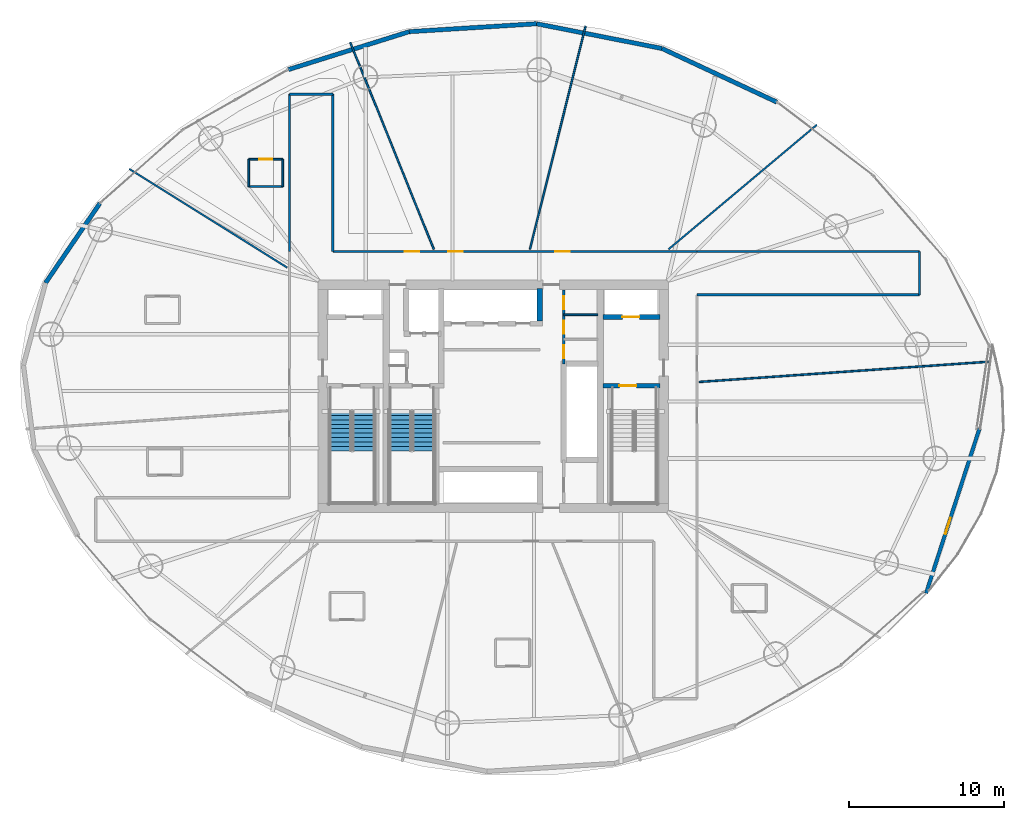
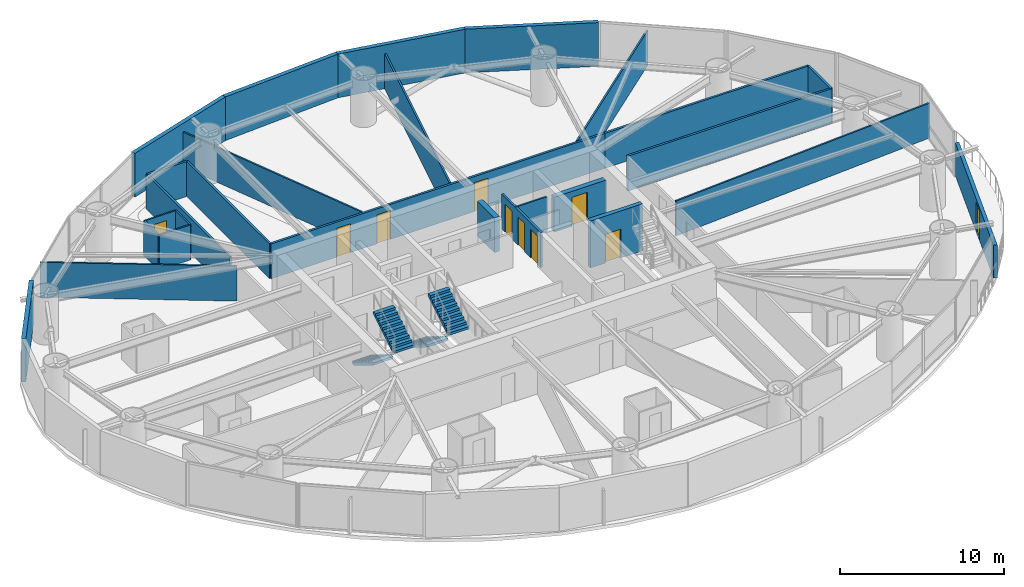
# One storey, part 21 of 26: 27 walls, 10 doors, 4 stair flights, 10 openings, 2 elements without a shape of their own.
"""IFC4 building model written with IfcOpenShell, lengths in metres."""

from ifc_helpers import new_model, si_unit, direction, frame, frame_2d, origin, place, context, subcontext, project, spatial, polyline, rectangle, outline, extrude, material, layer, layer_set, type_object, element, fill, aggregate, save


model = new_model("IFC4")

# Units and contexts
model_context = context("Model", 3, precision=1e-05, world=origin(), true_north=direction((0.0, 1.0)))
body_context = subcontext(model_context, "Body", "Model", "MODEL_VIEW")
ifc_project = project(units=[si_unit("LENGTHUNIT", "METRE"), si_unit("AREAUNIT", "SQUARE_METRE"), si_unit("VOLUMEUNIT", "CUBIC_METRE"), si_unit("PLANEANGLEUNIT", "RADIAN"), si_unit("MASSUNIT", "GRAM", prefix="KILO")], contexts=[model_context])

# Site, building, storey
site_placement = place(None, origin())
site = spatial("IfcSite", under=ifc_project, at=site_placement, CompositionType="ELEMENT")
building_placement = place(site_placement, origin())
building = spatial("IfcBuilding", under=site, at=building_placement, Name="Bramvorn Convention Spire", CompositionType="ELEMENT")
storey_placement = place(building_placement, frame((0.0, 0.0, 51.89990234375)))
storey = spatial("IfcBuildingStorey", under=building, at=storey_placement, Name="L10", CompositionType="ELEMENT", Elevation=51.89990234375)

# Wall, opening, door
ifc_material_1 = material(Name="Concrete C50/60", Category="concrete")
ifc_layer_1 = layer(ifc_material_1, 0.35009765625)
ifc_layer_set_1 = layer_set([ifc_layer_1], Name="Concrete C50/60 - WL-CORE-INT-350")
wall_type_1 = type_object("IfcWallType", Name="WL-CORE-INT-350", PredefinedType="SHEAR", material=ifc_layer_set_1)
wall_1_placement = place(storey_placement, frame((45.080078125, 31.1201171875, 0.0), z_axis=(0.0, 0.0, 1.0), x_axis=(1.0, 0.0, 0.0)))
wall_1 = element("IfcWall", 1, at=wall_1_placement, inside=storey, type_object=wall_type_1, Name="L10 FE2 shaft front wall", PredefinedType="SHEAR", context=body_context, shape_type="SweptSolid", body=[
    extrude(rectangle(XDim=3.669921875, YDim=0.35009765625, at=frame_2d((1.8349609375, 0.0))), origin(), (0.0, 0.0, 1.0), 2.60009765625),
])
opening_1_placement = place(wall_1_placement, frame((1.25, 0.0, 0.0)))
opening_1 = element("IfcOpeningElement", 2, at=opening_1_placement, cuts=wall_1, Name="Opening LD-110", PredefinedType="OPENING", context=body_context, shape_type="SweptSolid", body=[
    extrude(rectangle(XDim=1.10009765625, YDim=2.14990234375, at=frame_2d((0.550048828125, 1.074951171875))), frame((0.0, 0.18505859375, 0.0), z_axis=(0.0, -1.0, 0.0), x_axis=(1.0, 0.0, 0.0)), (0.0, 0.0, 1.0), 0.3701171875),
])
ifc_material_2 = material(Name="Firefighting & Service Lift Sliding Landing Door", Category="steel")
door_type_1 = type_object("IfcDoorType", Name="DR-LIFT-LD-1100", OperationType="NOTDEFINED", PredefinedType="DOOR", material=ifc_material_2)
door_1_placement = place(opening_1_placement, origin())
door_1 = element("IfcDoor", 3, at=door_1_placement, inside=storey, type_object=door_type_1, Name="L10 Lift FE2 Sliding Landing Door", OperationType="SLIDING_TO_LEFT", OverallHeight=2.14990234375, OverallWidth=1.10009765625, PredefinedType="DOOR", context=body_context, shape_type="SweptSolid", body=[
    extrude(rectangle(XDim=1.10009765625, YDim=2.14990234375, at=frame_2d((0.550048828125, 1.074951171875))), frame((0.0, 0.02490234375, 0.0), z_axis=(0.0, -1.0, 0.0), x_axis=(1.0, 0.0, 0.0)), (0.0, 0.0, 1.0), 0.050048828125),
])
fill(opening_1, door_1)

# Walls
wall_2_placement = place(storey_placement, frame((41.0, 30.8701171875, 0.0), z_axis=(0.0, 0.0, 1.0), x_axis=(0.0, 1.0, 0.0)))
element("IfcWall", 4, at=wall_2_placement, inside=storey, type_object=wall_type_1, Name="L10 Low-rise bank east cheek wall", PredefinedType="SHEAR", context=body_context, shape_type="SweptSolid", body=[
    extrude(rectangle(XDim=2.079833984375, YDim=0.35009765625, at=frame_2d((1.0400390625, 0.0))), origin(), (0.0, 0.0, 1.0), 2.60009765625),
])
ifc_material_3 = material(Name="Precast Concrete C40/50 with Bronze Terracotta Rainscreen", Category="masonry")
ifc_layer_2 = layer(ifc_material_3, 0.300048828125)
ifc_layer_set_2 = layer_set([ifc_layer_2], Name="Precast Concrete C40/50 with Bronze Terracotta Rainscreen - WL-EXT-BRONZE-300")
wall_type_2 = type_object("IfcWallType", Name="WL-EXT-BRONZE-300", PredefinedType="SOLIDWALL", material=ifc_layer_set_2)
wall_3_placement = place(storey_placement, frame((48.884765625, 48.443115234375, 0.0), z_axis=(0.0, 0.0, 1.0), x_axis=(0.906115954936, -0.423029403482, 0.0)))
element("IfcWall", 5, at=wall_3_placement, inside=storey, type_object=wall_type_2, Name="L10 expressed bronze Gothic lancet pier wall 05", PredefinedType="SOLIDWALL", context=body_context, shape_type="SweptSolid", body=[
    extrude(rectangle(XDim=8.1708984375, YDim=0.280029296875, at=frame_2d((4.08544921875, 0.0))), origin(), (0.0, 0.0, 1.0), 3.25),
])
wall_4_placement = place(storey_placement, frame((40.79931640625, 50.03759765625, 0.0), z_axis=(0.0, 0.0, 1.0), x_axis=(0.981104672244, -0.193477704403, 0.0)))
element("IfcWall", 6, at=wall_4_placement, inside=storey, type_object=wall_type_2, Name="L10 expressed bronze Gothic lancet pier wall 06", PredefinedType="SOLIDWALL", context=body_context, shape_type="SweptSolid", body=[
    extrude(rectangle(XDim=8.2412109375, YDim=0.280029296875, at=frame_2d((4.12060546875, 0.0))), origin(), (0.0, 0.0, 1.0), 3.25),
])
wall_5_placement = place(storey_placement, frame((32.57373046875, 49.526611328125, 0.0), z_axis=(0.0, 0.0, 1.0), x_axis=(0.998076021969, 0.062002051347, 0.0)))
element("IfcWall", 7, at=wall_5_placement, inside=storey, type_object=wall_type_2, Name="L10 expressed bronze Gothic lancet pier wall 07", PredefinedType="SOLIDWALL", context=body_context, shape_type="SweptSolid", body=[
    extrude(rectangle(XDim=8.241455078125, YDim=0.280029296875, at=frame_2d((4.12060546875, 0.0))), origin(), (0.0, 0.0, 1.0), 3.25),
])
wall_6_placement = place(storey_placement, frame((24.778076171875, 47.07958984375, 0.0), z_axis=(0.0, 0.0, 1.0), x_axis=(0.954100123885, 0.299487818787, 0.0)))
element("IfcWall", 8, at=wall_6_placement, inside=storey, type_object=wall_type_2, Name="L10 expressed bronze Gothic lancet pier wall 08", PredefinedType="SOLIDWALL", context=body_context, shape_type="SweptSolid", body=[
    extrude(rectangle(XDim=8.170654296875, YDim=0.280029296875, at=frame_2d((4.08544921875, 0.0))), origin(), (0.0, 0.0, 1.0), 3.25),
])
wall_7_placement = place(storey_placement, frame((9.117919921875, 33.3212890625, 0.0), z_axis=(0.0, 0.0, 1.0), x_axis=(0.563808674425, 0.8259054296, 0.0)))
element("IfcWall", 9, at=wall_7_placement, inside=storey, type_object=wall_type_2, Name="L10 expressed bronze Gothic lancet pier wall 11", PredefinedType="SOLIDWALL", context=body_context, shape_type="SweptSolid", body=[
    extrude(rectangle(XDim=6.212158203125, YDim=0.280029296875, at=frame_2d((3.10595703125, 0.0))), origin(), (0.0, 0.0, 1.0), 3.25),
])

# Wall, opening, door
ifc_material_4 = material(Name="Precast Concrete C40/50 Insulated Terrace Wall", Category="concrete")
ifc_layer_3 = layer(ifc_material_4, 0.280029296875)
ifc_layer_set_3 = layer_set([ifc_layer_3], Name="Precast Concrete C40/50 Insulated Terrace Wall - WL-EXT-TERR-280")
wall_type_3 = type_object("IfcWallType", Name="WL-EXT-TERR-280", PredefinedType="SOLIDWALL", material=ifc_layer_set_3)
wall_8_placement = place(storey_placement, frame((69.37060546875, 23.91650390625, 0.0), z_axis=(0.0, 0.0, 1.0), x_axis=(-0.30855815253, -0.951205480696, 0.0)))
wall_8 = element("IfcWall", 10, at=wall_8_placement, inside=storey, type_object=wall_type_3, Name="L10 Sky Garden recessed terrace wall", PredefinedType="SOLIDWALL", context=body_context, shape_type="SweptSolid", body=[
    extrude(rectangle(XDim=11.1689453125, YDim=0.239990234375, at=frame_2d((5.58447265625, 0.0))), origin(), (0.0, 0.0, 1.0), 2.4501953125),
])
opening_2_placement = place(wall_8_placement, frame((6.041259765625, 0.0, 0.0)))
opening_2 = element("IfcOpeningElement", 11, at=opening_2_placement, cuts=wall_8, Name="Opening DE05", PredefinedType="OPENING", context=body_context, shape_type="SweptSolid", body=[
    extrude(rectangle(XDim=1.10009765625, YDim=2.199951171875, at=frame_2d((0.550048828125, 1.10009765625))), frame((0.0, 0.1298828125, 0.0), z_axis=(0.0, -1.0, 0.0), x_axis=(1.0, 0.0, 0.0)), (0.0, 0.0, 1.0), 0.260009765625),
])
ifc_material_5 = material(Name="Anodised Bronze Aluminium & Laminated Safety Glass", Category="aluminium")
door_type_2 = type_object("IfcDoorType", Name="DR-EXT-1100X2200", OperationType="NOTDEFINED", PredefinedType="DOOR", material=ifc_material_5)
door_2_placement = place(opening_2_placement, origin())
door_2 = element("IfcDoor", 12, at=door_2_placement, inside=storey, type_object=door_type_2, Name="L10 Sky Garden Lounge exterior terrace door", OperationType="SINGLE_SWING_LEFT", OverallHeight=2.199951171875, OverallWidth=1.10009765625, PredefinedType="DOOR", context=body_context, shape_type="SweptSolid", body=[
    extrude(rectangle(XDim=1.10009765625, YDim=2.199951171875, at=frame_2d((0.550048828125, 1.10009765625))), frame((0.0, 0.02490234375, 0.0), z_axis=(0.0, -1.0, 0.0), x_axis=(1.0, 0.0, 0.0)), (0.0, 0.0, 1.0), 0.050048828125),
])
fill(opening_2, door_2)

# Walls
ifc_material_6 = material(Name="Lightweight En-Suite & Wet-Wall Partition", Category="gypsum")
ifc_layer_4 = layer(ifc_material_6, 0.110107421875)
ifc_layer_set_4 = layer_set([ifc_layer_4], Name="Lightweight En-Suite & Wet-Wall Partition - WL-PART-110")
wall_type_4 = type_object("IfcWallType", Name="WL-PART-110", PredefinedType="PARTITIONING", material=ifc_layer_set_4)
wall_9_placement = place(storey_placement, frame((42.550048828125, 31.260009765625, 0.0), z_axis=(0.0, 0.0, 1.0), x_axis=(1.0, 0.0, 0.0)))
element("IfcWall", 13, at=wall_9_placement, inside=storey, type_object=wall_type_4, Name="L10 KC NE div 2", PredefinedType="PARTITIONING", context=body_context, shape_type="SweptSolid", body=[
    extrude(rectangle(XDim=2.199951171875, YDim=0.110107421875, at=frame_2d((1.10009765625, 0.0))), origin(), (0.0, 0.0, 1.0), 2.60009765625),
])
wall_10_placement = place(storey_placement, frame((51.2900390625, 26.92919921875, 0.0), z_axis=(0.0, 0.0, 1.0), x_axis=(0.997563671455, 0.06976189069, 0.0)))
element("IfcWall", 14, at=wall_10_placement, inside=storey, type_object=wall_type_4, Name="L10 Guestroom demising wall 1", PredefinedType="PARTITIONING", context=body_context, shape_type="SweptSolid", body=[
    extrude(rectangle(XDim=18.680908203125, YDim=0.110107421875, at=frame_2d((9.34033203125, 0.0))), origin(), (0.0, 0.0, 1.0), 2.60009765625),
])
wall_11_placement = place(storey_placement, frame((49.309814453125, 35.489990234375, 0.0), z_axis=(0.0, 0.0, 1.0), x_axis=(0.766037845648, 0.642795472165, 0.0)))
element("IfcWall", 15, at=wall_11_placement, inside=storey, type_object=wall_type_4, Name="L10 Guestroom demising wall 2", PredefinedType="PARTITIONING", context=body_context, shape_type="SweptSolid", body=[
    extrude(rectangle(XDim=12.489990234375, YDim=0.110107421875, at=frame_2d((6.2451171875, 0.0))), origin(), (0.0, 0.0, 1.0), 2.60009765625),
])
wall_12_placement = place(storey_placement, frame((40.3662109375, 35.489990234375, 0.0), z_axis=(0.0, 0.0, 1.0), x_axis=(0.241912498143, 0.970298069277, 0.0)))
element("IfcWall", 16, at=wall_12_placement, inside=storey, type_object=wall_type_4, Name="L10 Guestroom demising wall 3", PredefinedType="PARTITIONING", context=body_context, shape_type="SweptSolid", body=[
    extrude(rectangle(XDim=14.843505859375, YDim=0.110107421875, at=frame_2d((7.421875, 0.0))), origin(), (0.0, 0.0, 1.0), 2.60009765625),
])
wall_13_placement = place(storey_placement, frame((34.165771484375, 35.489990234375, 0.0), z_axis=(0.0, 0.0, 1.0), x_axis=(-0.374610825382, 0.92718214473, 0.0)))
element("IfcWall", 17, at=wall_13_placement, inside=storey, type_object=wall_type_4, Name="L10 Guestroom demising wall 4", PredefinedType="PARTITIONING", context=body_context, shape_type="SweptSolid", body=[
    extrude(rectangle(XDim=14.395263671875, YDim=0.110107421875, at=frame_2d((7.19775390625, 0.0))), origin(), (0.0, 0.0, 1.0), 2.60009765625),
])
wall_14_placement = place(storey_placement, frame((24.7099609375, 34.304443359375, 0.0), z_axis=(0.0, 0.0, 1.0), x_axis=(-0.848050772958, 0.529914980431, 0.0)))
element("IfcWall", 18, at=wall_14_placement, inside=storey, type_object=wall_type_4, Name="L10 Guestroom demising wall 5", PredefinedType="PARTITIONING", context=body_context, shape_type="SweptSolid", body=[
    extrude(rectangle(XDim=12.023681640625, YDim=0.110107421875, at=frame_2d((6.01171875, 0.0))), origin(), (0.0, 0.0, 1.0), 2.60009765625),
])
wall_15_placement = place(storey_placement, frame((22.22119140625, 39.5322265625, 0.0), z_axis=(0.0, 0.0, 1.0), x_axis=(1.0, 0.0, 0.0)))
element("IfcWall", 19, at=wall_15_placement, inside=storey, type_object=wall_type_4, Name="Hotel Suite 1004 en-suite south wall", PredefinedType="PARTITIONING", context=body_context, shape_type="SweptSolid", body=[
    extrude(rectangle(XDim=2.199951171875, YDim=0.110107421875, at=frame_2d((1.10009765625, 0.0))), origin(), (0.0, 0.0, 1.0), 2.60009765625),
])

# Wall, opening, door
wall_16_placement = place(storey_placement, frame((22.22119140625, 41.292236328125, 0.0), z_axis=(0.0, 0.0, 1.0), x_axis=(1.0, 0.0, 0.0)))
wall_16 = element("IfcWall", 20, at=wall_16_placement, inside=storey, type_object=wall_type_4, Name="Hotel Suite 1004 en-suite north wall", PredefinedType="PARTITIONING", context=body_context, shape_type="SweptSolid", body=[
    extrude(rectangle(XDim=2.199951171875, YDim=0.110107421875, at=frame_2d((1.10009765625, 0.0))), origin(), (0.0, 0.0, 1.0), 2.60009765625),
])
opening_3_placement = place(wall_16_placement, frame((0.679931640625, 0.0, 0.0)))
opening_3 = element("IfcOpeningElement", 21, at=opening_3_placement, cuts=wall_16, Name="Opening DI-085", PredefinedType="OPENING", context=body_context, shape_type="SweptSolid", body=[
    extrude(rectangle(XDim=0.85009765625, YDim=2.10009765625, at=frame_2d((0.425048828125, 1.050048828125))), frame((0.0, 0.06494140625, 0.0), z_axis=(0.0, -1.0, 0.0), x_axis=(1.0, 0.0, 0.0)), (0.0, 0.0, 1.0), 0.130126953125),
])
ifc_material_7 = material(Name="En-Suite & Restroom Privacy Door", Category="wood")
door_type_3 = type_object("IfcDoorType", Name="DR-INT-850", OperationType="NOTDEFINED", PredefinedType="DOOR", material=ifc_material_7)
door_3_placement = place(opening_3_placement, origin())
door_3 = element("IfcDoor", 22, at=door_3_placement, inside=storey, type_object=door_type_3, Name="Hotel Suite 1004 En-Suite Bathroom door", OperationType="SINGLE_SWING_LEFT", OverallHeight=2.10009765625, OverallWidth=0.85009765625, PredefinedType="DOOR", context=body_context, shape_type="SweptSolid", body=[
    extrude(rectangle(XDim=0.85009765625, YDim=2.10009765625, at=frame_2d((0.425048828125, 1.050048828125))), frame((0.0, 0.02490234375, 0.0), z_axis=(0.0, -1.0, 0.0), x_axis=(1.0, 0.0, 0.0)), (0.0, 0.0, 1.0), 0.050048828125),
])
fill(opening_3, door_3)

# Walls
for number, where, z_axis, x_axis, name in (
    (23, (22.22119140625, 39.5322265625, 0.0), (0.0, 0.0, 1.0), (0.0, 1.0, 0.0), "Hotel Suite 1004 en-suite west wall"),
    (24, (24.421142578125, 39.5322265625, 0.0), (0.0, 0.0, 1.0), (0.0, 1.0, 0.0), "Hotel Suite 1004 en-suite east wall"),
):
    element("IfcWall", number, at=place(storey_placement, frame(where, z_axis=z_axis, x_axis=x_axis)), inside=storey, type_object=wall_type_4, Name=name, PredefinedType="PARTITIONING", context=body_context, shape_type="SweptSolid", body=[
        extrude(rectangle(XDim=1.760009765625, YDim=0.110107421875, at=frame_2d((0.8798828125, 0.0))), origin(), (0.0, 0.0, 1.0), 2.60009765625),
    ])

# Wall, openings, doors
ifc_material_8 = material(Name="Acoustic Metal-Stud Tenant/Corridor Partition", Category="gypsum")
ifc_layer_5 = layer(ifc_material_8, 0.14990234375)
ifc_layer_set_5 = layer_set([ifc_layer_5], Name="Acoustic Metal-Stud Tenant/Corridor Partition - WL-PART-150")
wall_type_5 = type_object("IfcWallType", Name="WL-PART-150", PredefinedType="PARTITIONING", material=ifc_layer_set_5)
wall_17_placement = place(storey_placement, frame((42.550048828125, 28.10009765625, 0.0), z_axis=(0.0, 0.0, 1.0), x_axis=(0.0, 1.0, 0.0)))
wall_17 = element("IfcWall", 25, at=wall_17_placement, inside=storey, type_object=wall_type_5, Name="L10 KC NE wall", PredefinedType="PARTITIONING", context=body_context, shape_type="SweptSolid", body=[
    extrude(rectangle(XDim=4.75, YDim=0.14990234375, at=frame_2d((2.375, 0.0))), origin(), (0.0, 0.0, 1.0), 2.60009765625),
])
opening_4_placement = place(wall_17_placement, frame((0.35009765625, 0.0, 0.0)))
opening_4 = element("IfcOpeningElement", 26, at=opening_4_placement, cuts=wall_17, Name="Opening DC-085", PredefinedType="OPENING", context=body_context, shape_type="SweptSolid", body=[
    extrude(rectangle(XDim=0.85009765625, YDim=2.10009765625, at=frame_2d((0.425048828125, 1.050048828125))), frame((0.0, 0.0849609375, 0.0), z_axis=(0.0, -1.0, 0.0), x_axis=(1.0, 0.0, 0.0)), (0.0, 0.0, 1.0), 0.169921875),
])
opening_5_placement = place(wall_17_placement, frame((1.929931640625, 0.0, 0.0)))
opening_5 = element("IfcOpeningElement", 27, at=opening_5_placement, cuts=wall_17, Name="Opening DC-085", PredefinedType="OPENING", context=body_context, shape_type="SweptSolid", body=[
    extrude(rectangle(XDim=0.85009765625, YDim=2.10009765625, at=frame_2d((0.425048828125, 1.050048828125))), frame((0.0, 0.0849609375, 0.0), z_axis=(0.0, -1.0, 0.0), x_axis=(1.0, 0.0, 0.0)), (0.0, 0.0, 1.0), 0.169921875),
])
opening_6_placement = place(wall_17_placement, frame((3.510009765625, 0.0, 0.0)))
opening_6 = element("IfcOpeningElement", 28, at=opening_6_placement, cuts=wall_17, Name="Opening DC-085", PredefinedType="OPENING", context=body_context, shape_type="SweptSolid", body=[
    extrude(rectangle(XDim=0.85009765625, YDim=2.10009765625, at=frame_2d((0.425048828125, 1.050048828125))), frame((0.0, 0.0849609375, 0.0), z_axis=(0.0, -1.0, 0.0), x_axis=(1.0, 0.0, 0.0)), (0.0, 0.0, 1.0), 0.169921875),
])
ifc_material_9 = material(Name="Fire-Rated Core Washroom & IDF Door", Category="wood")
door_type_4 = type_object("IfcDoorType", Name="DR-CORE-850", OperationType="NOTDEFINED", PredefinedType="DOOR", material=ifc_material_9)
door_4_placement = place(opening_4_placement, origin())
door_4 = element("IfcDoor", 29, at=door_4_placement, inside=storey, type_object=door_type_4, Name="L10 Accessible Core Restroom door", OperationType="SINGLE_SWING_LEFT", OverallHeight=2.10009765625, OverallWidth=0.85009765625, PredefinedType="DOOR", context=body_context, shape_type="SweptSolid", body=[
    extrude(rectangle(XDim=0.85009765625, YDim=2.10009765625, at=frame_2d((0.425048828125, 1.050048828125))), frame((0.0, 0.02490234375, 0.0), z_axis=(0.0, -1.0, 0.0), x_axis=(1.0, 0.0, 0.0)), (0.0, 0.0, 1.0), 0.050048828125),
])
fill(opening_4, door_4)
door_5_placement = place(opening_5_placement, origin())
door_5 = element("IfcDoor", 30, at=door_5_placement, inside=storey, type_object=door_type_4, Name="L10 Floor Housekeeping & Linen Store door", OperationType="SINGLE_SWING_LEFT", OverallHeight=2.10009765625, OverallWidth=0.85009765625, PredefinedType="DOOR", context=body_context, shape_type="SweptSolid", body=[
    extrude(rectangle(XDim=0.85009765625, YDim=2.10009765625, at=frame_2d((0.425048828125, 1.050048828125))), frame((0.0, 0.02490234375, 0.0), z_axis=(0.0, -1.0, 0.0), x_axis=(1.0, 0.0, 0.0)), (0.0, 0.0, 1.0), 0.050048828125),
])
fill(opening_5, door_5)
door_6_placement = place(opening_6_placement, origin())
door_6 = element("IfcDoor", 31, at=door_6_placement, inside=storey, type_object=door_type_4, Name="L10 Core Comms Closet door", OperationType="SINGLE_SWING_LEFT", OverallHeight=2.10009765625, OverallWidth=0.85009765625, PredefinedType="DOOR", context=body_context, shape_type="SweptSolid", body=[
    extrude(rectangle(XDim=0.85009765625, YDim=2.10009765625, at=frame_2d((0.425048828125, 1.050048828125))), frame((0.0, 0.02490234375, 0.0), z_axis=(0.0, -1.0, 0.0), x_axis=(1.0, 0.0, 0.0)), (0.0, 0.0, 1.0), 0.050048828125),
])
fill(opening_6, door_6)

wall_18_placement = place(storey_placement, frame((27.64990234375, 35.35009765625, 0.0), z_axis=(0.0, 0.0, 1.0), x_axis=(1.0, 0.0, 0.0)))
wall_18 = element("IfcWall", 32, at=wall_18_placement, inside=storey, type_object=wall_type_5, Name="L10 North ring corridor wall", PredefinedType="PARTITIONING", context=body_context, shape_type="SweptSolid", body=[
    extrude(rectangle(XDim=23.5, YDim=0.14990234375, at=frame_2d((11.75, 0.0))), origin(), (0.0, 0.0, 1.0), 2.60009765625),
])
opening_7_placement = place(wall_18_placement, frame((14.333740234375, 0.0, 0.0)))
opening_7 = element("IfcOpeningElement", 33, at=opening_7_placement, cuts=wall_18, Name="Opening DH-095", PredefinedType="OPENING", context=body_context, shape_type="SweptSolid", body=[
    extrude(rectangle(XDim=0.949951171875, YDim=2.14990234375, at=frame_2d((0.47509765625, 1.074951171875))), frame((0.0, 0.0849609375, 0.0), z_axis=(0.0, -1.0, 0.0), x_axis=(1.0, 0.0, 0.0)), (0.0, 0.0, 1.0), 0.169921875),
])
opening_8_placement = place(wall_18_placement, frame((7.447265625, 0.0, 0.0)))
opening_8 = element("IfcOpeningElement", 34, at=opening_8_placement, cuts=wall_18, Name="Opening DH-095", PredefinedType="OPENING", context=body_context, shape_type="SweptSolid", body=[
    extrude(rectangle(XDim=0.949951171875, YDim=2.14990234375, at=frame_2d((0.47509765625, 1.074951171875))), frame((0.0, 0.0849609375, 0.0), z_axis=(0.0, -1.0, 0.0), x_axis=(1.0, 0.0, 0.0)), (0.0, 0.0, 1.0), 0.169921875),
])
opening_9_placement = place(wall_18_placement, frame((4.64013671875, 0.0, 0.0)))
opening_9 = element("IfcOpeningElement", 35, at=opening_9_placement, cuts=wall_18, Name="Opening DH-095", PredefinedType="OPENING", context=body_context, shape_type="SweptSolid", body=[
    extrude(rectangle(XDim=0.949951171875, YDim=2.14990234375, at=frame_2d((0.47509765625, 1.074951171875))), frame((0.0, 0.0849609375, 0.0), z_axis=(0.0, -1.0, 0.0), x_axis=(1.0, 0.0, 0.0)), (0.0, 0.0, 1.0), 0.169921875),
])
ifc_material_10 = material(Name="Solid-Core Acoustic Guestroom Entry Door", Category="wood")
door_type_5 = type_object("IfcDoorType", Name="DR-HOTEL-950", OperationType="NOTDEFINED", PredefinedType="DOOR", material=ifc_material_10)
door_7_placement = place(opening_7_placement, origin())
door_7 = element("IfcDoor", 36, at=door_7_placement, inside=storey, type_object=door_type_5, Name="L10 Hospitality Lounge 1 door", OperationType="SINGLE_SWING_RIGHT", OverallHeight=2.14990234375, OverallWidth=0.949951171875, PredefinedType="DOOR", context=body_context, shape_type="SweptSolid", body=[
    extrude(rectangle(XDim=0.949951171875, YDim=2.14990234375, at=frame_2d((0.47509765625, 1.074951171875))), frame((0.0, 0.02490234375, 0.0), z_axis=(0.0, -1.0, 0.0), x_axis=(1.0, 0.0, 0.0)), (0.0, 0.0, 1.0), 0.050048828125),
])
fill(opening_7, door_7)
door_8_placement = place(opening_8_placement, origin())
door_8 = element("IfcDoor", 37, at=door_8_placement, inside=storey, type_object=door_type_5, Name="L10 Hospitality Lounge 2 door", OperationType="SINGLE_SWING_LEFT", OverallHeight=2.14990234375, OverallWidth=0.949951171875, PredefinedType="DOOR", context=body_context, shape_type="SweptSolid", body=[
    extrude(rectangle(XDim=0.949951171875, YDim=2.14990234375, at=frame_2d((0.47509765625, 1.074951171875))), frame((0.0, 0.02490234375, 0.0), z_axis=(0.0, -1.0, 0.0), x_axis=(1.0, 0.0, 0.0)), (0.0, 0.0, 1.0), 0.050048828125),
])
fill(opening_8, door_8)
door_9_placement = place(opening_9_placement, origin())
door_9 = element("IfcDoor", 38, at=door_9_placement, inside=storey, type_object=door_type_5, Name="Hotel Suite 1004 entry door", OperationType="SINGLE_SWING_LEFT", OverallHeight=2.14990234375, OverallWidth=0.949951171875, PredefinedType="DOOR", context=body_context, shape_type="SweptSolid", body=[
    extrude(rectangle(XDim=0.949951171875, YDim=2.14990234375, at=frame_2d((0.47509765625, 1.074951171875))), frame((0.0, 0.02490234375, 0.0), z_axis=(0.0, -1.0, 0.0), x_axis=(1.0, 0.0, 0.0)), (0.0, 0.0, 1.0), 0.050048828125),
])
fill(opening_9, door_9)

# Walls
for number, where, z_axis, x_axis, name in (
    (39, (51.14990234375, 35.35009765625, 0.0), (0.0, 0.0, 1.0), (1.0, 0.0, 0.0), "L10 NE pinwheel wing north wall"),
    (40, (51.14990234375, 32.550048828125, 0.0), (0.0, 0.0, 1.0), (1.0, 0.0, 0.0), "L10 NE pinwheel wing south wall"),
):
    element("IfcWall", number, at=place(storey_placement, frame(where, z_axis=z_axis, x_axis=x_axis)), inside=storey, type_object=wall_type_5, Name=name, PredefinedType="PARTITIONING", context=body_context, shape_type="SweptSolid", body=[
        extrude(rectangle(XDim=14.35009765625, YDim=0.14990234375, at=frame_2d((7.175048828125, 0.0))), origin(), (0.0, 0.0, 1.0), 2.60009765625),
    ])
wall_19_placement = place(storey_placement, frame((65.5, 32.550048828125, 0.0), z_axis=(0.0, 0.0, 1.0), x_axis=(0.0, 1.0, 0.0)))
element("IfcWall", 41, at=wall_19_placement, inside=storey, type_object=wall_type_5, Name="L10 NE pinwheel end wall", PredefinedType="PARTITIONING", context=body_context, shape_type="SweptSolid", body=[
    extrude(rectangle(XDim=2.800048828125, YDim=0.14990234375, at=frame_2d((1.39990234375, 0.0))), origin(), (0.0, 0.0, 1.0), 2.60009765625),
])
for number, where, z_axis, x_axis, name in (
    (42, (24.85009765625, 35.35009765625, 0.0), (0.0, 0.0, 1.0), (0.0, 1.0, 0.0), "L10 NW pinwheel wing west wall"),
    (43, (27.64990234375, 35.35009765625, 0.0), (0.0, 0.0, 1.0), (0.0, 1.0, 0.0), "L10 NW pinwheel wing east wall"),
):
    element("IfcWall", number, at=place(storey_placement, frame(where, z_axis=z_axis, x_axis=x_axis)), inside=storey, type_object=wall_type_5, Name=name, PredefinedType="PARTITIONING", context=body_context, shape_type="SweptSolid", body=[
        extrude(rectangle(XDim=10.14990234375, YDim=0.14990234375, at=frame_2d((5.074951171875, 0.0))), origin(), (0.0, 0.0, 1.0), 2.60009765625),
    ])
wall_20_placement = place(storey_placement, frame((24.85009765625, 45.5, 0.0), z_axis=(0.0, 0.0, 1.0), x_axis=(1.0, 0.0, 0.0)))
element("IfcWall", 44, at=wall_20_placement, inside=storey, type_object=wall_type_5, Name="L10 NW pinwheel end wall", PredefinedType="PARTITIONING", context=body_context, shape_type="SweptSolid", body=[
    extrude(rectangle(XDim=2.7998046875, YDim=0.14990234375, at=frame_2d((1.39990234375, 0.0))), origin(), (0.0, 0.0, 1.0), 2.60009765625),
])

# Wall, opening, door
ifc_layer_6 = layer(ifc_material_1, 0.300048828125)
ifc_layer_set_6 = layer_set([ifc_layer_6], Name="Concrete C50/60 - WL-POD-STAIR-300")
wall_type_6 = type_object("IfcWallType", Name="WL-POD-STAIR-300", PredefinedType="SHEAR", material=ifc_layer_set_6)
wall_21_placement = place(storey_placement, frame((45.080078125, 26.68994140625, 0.0), z_axis=(0.0, 0.0, 1.0), x_axis=(1.0, 0.0, 0.0)))
wall_21 = element("IfcWall", 45, at=wall_21_placement, inside=storey, type_object=wall_type_6, Name="L10 ST2 north fire wall", PredefinedType="SHEAR", context=body_context, shape_type="SweptSolid", body=[
    extrude(rectangle(XDim=3.669921875, YDim=0.300048828125, at=frame_2d((1.8349609375, 0.0))), origin(), (0.0, 0.0, 1.0), 3.5),
])
opening_10_placement = place(wall_21_placement, frame((1.050048828125, 0.0, 0.0)))
opening_10 = element("IfcOpeningElement", 46, at=opening_10_placement, cuts=wall_21, Name="Opening DS-110", PredefinedType="OPENING", context=body_context, shape_type="SweptSolid", body=[
    extrude(rectangle(XDim=1.10009765625, YDim=2.14990234375, at=frame_2d((0.550048828125, 1.074951171875))), frame((0.0, 0.159912109375, 0.0), z_axis=(0.0, -1.0, 0.0), x_axis=(1.0, 0.0, 0.0)), (0.0, 0.0, 1.0), 0.320068359375),
])
ifc_material_11 = material(Name="Fire-Rated Hollow Steel Stairwell Door", Category="steel")
door_type_6 = type_object("IfcDoorType", Name="DR-STAIR-1100", OperationType="NOTDEFINED", PredefinedType="DOOR", material=ifc_material_11)
door_10_placement = place(opening_10_placement, origin())
door_10 = element("IfcDoor", 47, at=door_10_placement, inside=storey, type_object=door_type_6, Name="L10 Stair ST2 fire door", OperationType="SINGLE_SWING_RIGHT", OverallHeight=2.14990234375, OverallWidth=1.10009765625, PredefinedType="DOOR", context=body_context, shape_type="SweptSolid", body=[
    extrude(rectangle(XDim=1.10009765625, YDim=2.14990234375, at=frame_2d((0.550048828125, 1.074951171875))), frame((0.0, 0.02490234375, 0.0), z_axis=(0.0, -1.0, 0.0), x_axis=(1.0, 0.0, 0.0)), (0.0, 0.0, 1.0), 0.050048828125),
])
fill(opening_10, door_10)

# Stair, stair flights
ifc_material_12 = material(Name="Concrete C40/50 Precast Stair", Category="concrete")
stair_type = type_object("IfcStairType", Name="ST-TOWER-1550", PredefinedType="HALF_TURN_STAIR", material=ifc_material_12)
stair_1_placement = place(storey_placement, origin())
stair_1 = element("IfcStair", 48, at=stair_1_placement, inside=storey, type_object=stair_type, Name="L10 Protected Exit Stair ST1", PredefinedType="HALF_TURN_STAIR")
ifc_material_13 = material(Name="Concrete C40/50 Precast Stair Flight", Category="concrete")
stair_flight_type = type_object("IfcStairFlightType", Name="STF-TOWER-1550", PredefinedType="STRAIGHT", material=ifc_material_13)
stair_flight_1_placement = place(storey_placement, frame((28.155029296875, 25.050048828125, 0.0), z_axis=(0.0, 0.0, 1.0), x_axis=(0.0, -1.0, 0.0)))
stair_flight_1 = element("IfcStairFlight", 49, at=stair_flight_1_placement, type_object=stair_flight_type, Name="ST1 flight 1", NumberOfRisers=10, NumberOfTreads=9, PredefinedType="STRAIGHT", RiserHeight=0.175, TreadLength=0.285, context=body_context, shape_type="SweptSolid", body=[
    extrude(outline(polyline([(0.0, 0.0), (0.0, 0.175048828125), (0.284912109375, 0.175048828125), (0.284912109375, 0.35009765625), (0.570068359375, 0.35009765625), (0.570068359375, 0.52490234375), (0.85498046875, 0.52490234375), (0.85498046875, 0.699951171875), (1.139892578125, 0.699951171875), (1.139892578125, 0.875), (1.425048828125, 0.875), (1.425048828125, 1.050048828125), (1.7099609375, 1.050048828125), (1.7099609375, 1.22509765625), (1.9951171875, 1.22509765625), (1.9951171875, 1.39990234375), (2.280029296875, 1.39990234375), (2.280029296875, 1.574951171875), (2.56494140625, 1.574951171875), (2.56494140625, 1.75), (2.56494140625, 1.399169921875), (0.286376953125, 0.0), (0.0, 0.0)])), frame((0.0, 0.705078125, 0.0), z_axis=(0.0, -1.0, 0.0), x_axis=(1.0, 0.0, 0.0)), (0.0, 0.0, 1.0), 1.409912109375),
])
stair_flight_2_placement = place(storey_placement, frame((29.64501953125, 22.485107421875, 1.75), z_axis=(0.0, 0.0, 1.0), x_axis=(0.0, 1.0, 0.0)))
stair_flight_2 = element("IfcStairFlight", 50, at=stair_flight_2_placement, type_object=stair_flight_type, Name="ST1 flight 2", NumberOfRisers=10, NumberOfTreads=9, PredefinedType="STRAIGHT", RiserHeight=0.175, TreadLength=0.285, context=body_context, shape_type="SweptSolid", body=[
    extrude(outline(polyline([(0.0, 0.0), (0.0, 0.175048828125), (0.284912109375, 0.175048828125), (0.284912109375, 0.35009765625), (0.570068359375, 0.35009765625), (0.570068359375, 0.52490234375), (0.85498046875, 0.52490234375), (0.85498046875, 0.699951171875), (1.139892578125, 0.699951171875), (1.139892578125, 0.875), (1.425048828125, 0.875), (1.425048828125, 1.050048828125), (1.7099609375, 1.050048828125), (1.7099609375, 1.22509765625), (1.9951171875, 1.22509765625), (1.9951171875, 1.39990234375), (2.280029296875, 1.39990234375), (2.280029296875, 1.574951171875), (2.56494140625, 1.574951171875), (2.56494140625, 1.75), (2.56494140625, 1.399169921875), (0.286376953125, 0.0), (0.0, 0.0)])), frame((0.0, 0.705078125, 0.0), z_axis=(0.0, -1.0, 0.0), x_axis=(1.0, 0.0, 0.0)), (0.0, 0.0, 1.0), 1.409912109375),
])
aggregate(stair_1, [stair_flight_1, stair_flight_2])

stair_2_placement = place(storey_placement, origin())
stair_2 = element("IfcStair", 51, at=stair_2_placement, inside=storey, type_object=stair_type, Name="L10 Protected Exit Stair ST3", PredefinedType="HALF_TURN_STAIR")
stair_flight_3_placement = place(storey_placement, frame((32.0048828125, 25.050048828125, 0.0), z_axis=(0.0, 0.0, 1.0), x_axis=(0.0, -1.0, 0.0)))
stair_flight_3 = element("IfcStairFlight", 52, at=stair_flight_3_placement, type_object=stair_flight_type, Name="ST3 flight 1", NumberOfRisers=10, NumberOfTreads=9, PredefinedType="STRAIGHT", RiserHeight=0.175, TreadLength=0.285, context=body_context, shape_type="SweptSolid", body=[
    extrude(outline(polyline([(0.0, 0.0), (0.0, 0.175048828125), (0.284912109375, 0.175048828125), (0.284912109375, 0.35009765625), (0.570068359375, 0.35009765625), (0.570068359375, 0.52490234375), (0.85498046875, 0.52490234375), (0.85498046875, 0.699951171875), (1.139892578125, 0.699951171875), (1.139892578125, 0.875), (1.425048828125, 0.875), (1.425048828125, 1.050048828125), (1.7099609375, 1.050048828125), (1.7099609375, 1.22509765625), (1.9951171875, 1.22509765625), (1.9951171875, 1.39990234375), (2.280029296875, 1.39990234375), (2.280029296875, 1.574951171875), (2.56494140625, 1.574951171875), (2.56494140625, 1.75), (2.56494140625, 1.399169921875), (0.286376953125, 0.0), (0.0, 0.0)])), frame((0.0, 0.705078125, 0.0), z_axis=(0.0, -1.0, 0.0), x_axis=(1.0, 0.0, 0.0)), (0.0, 0.0, 1.0), 1.409912109375),
])
stair_flight_4_placement = place(storey_placement, frame((33.4951171875, 22.485107421875, 1.75), z_axis=(0.0, 0.0, 1.0), x_axis=(0.0, 1.0, 0.0)))
stair_flight_4 = element("IfcStairFlight", 53, at=stair_flight_4_placement, type_object=stair_flight_type, Name="ST3 flight 2", NumberOfRisers=10, NumberOfTreads=9, PredefinedType="STRAIGHT", RiserHeight=0.175, TreadLength=0.285, context=body_context, shape_type="SweptSolid", body=[
    extrude(outline(polyline([(0.0, 0.0), (0.0, 0.175048828125), (0.284912109375, 0.175048828125), (0.284912109375, 0.35009765625), (0.570068359375, 0.35009765625), (0.570068359375, 0.52490234375), (0.85498046875, 0.52490234375), (0.85498046875, 0.699951171875), (1.139892578125, 0.699951171875), (1.139892578125, 0.875), (1.425048828125, 0.875), (1.425048828125, 1.050048828125), (1.7099609375, 1.050048828125), (1.7099609375, 1.22509765625), (1.9951171875, 1.22509765625), (1.9951171875, 1.39990234375), (2.280029296875, 1.39990234375), (2.280029296875, 1.574951171875), (2.56494140625, 1.574951171875), (2.56494140625, 1.75), (2.56494140625, 1.399169921875), (0.286376953125, 0.0), (0.0, 0.0)])), frame((0.0, 0.705078125, 0.0), z_axis=(0.0, -1.0, 0.0), x_axis=(1.0, 0.0, 0.0)), (0.0, 0.0, 1.0), 1.409912109375),
])
aggregate(stair_2, [stair_flight_3, stair_flight_4])

save(model, "model.ifc")
